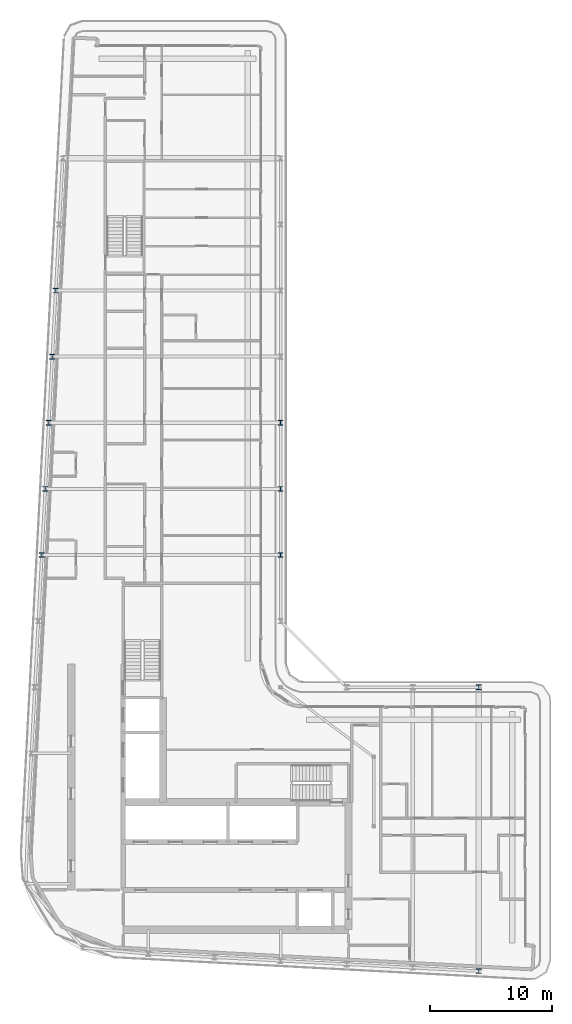
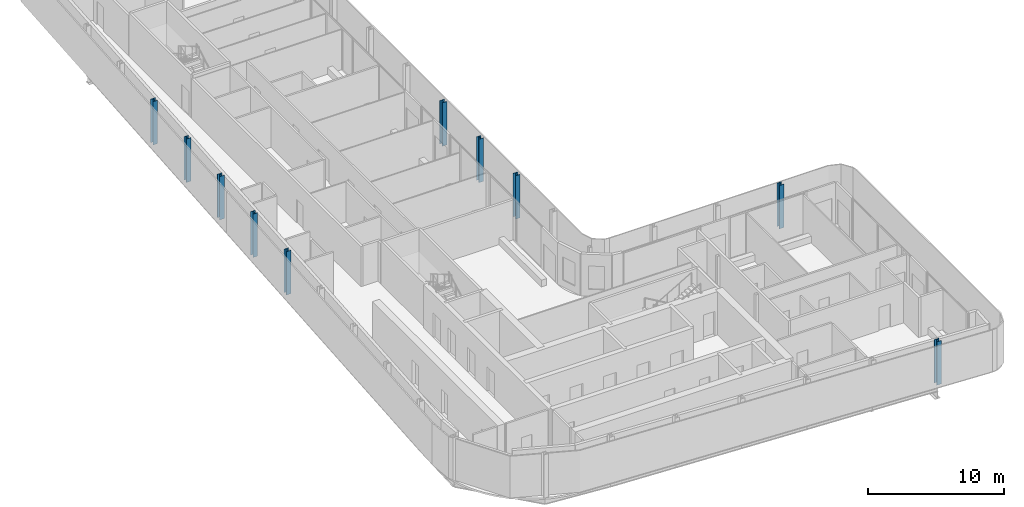
# One storey, part 3 of 21: 10 columns.
"""IFC4 building model written with IfcOpenShell, lengths in metres."""

from ifc_helpers import new_model, si_unit, direction, frame, origin, origin_2d, place, context, subcontext, project, spatial, i_section, extrude, material, material_profile, profile_set, type_object, element, save


model = new_model("IFC4")

# Units and contexts
model_context = context("Model", 3, precision=1e-05, world=origin(), true_north=direction((0.0, 1.0)))
body_context = subcontext(model_context, "Body", "Model", "MODEL_VIEW")
ifc_project = project(units=[si_unit("LENGTHUNIT", "METRE"), si_unit("AREAUNIT", "SQUARE_METRE"), si_unit("VOLUMEUNIT", "CUBIC_METRE"), si_unit("PLANEANGLEUNIT", "RADIAN"), si_unit("MASSUNIT", "GRAM", prefix="KILO")], contexts=[model_context])

# Site, building, storey
site_placement = place(None, origin())
site = spatial("IfcSite", under=ifc_project, at=site_placement, CompositionType="ELEMENT")
building_placement = place(site_placement, origin())
building = spatial("IfcBuilding", under=site, at=building_placement, Name="Kheshtan School and Residences Tower", CompositionType="ELEMENT")
storey_placement = place(building_placement, frame((0.0, 0.0, 317.60009765625)))
storey = spatial("IfcBuildingStorey", under=building, at=storey_placement, Name="L75", CompositionType="ELEMENT", Elevation=317.60009765625)

# Columns
ifc_material = material(Name="Steel ASTM A992 Grade 50", Category="steel")
ifc_material_profile = material_profile(ifc_material, i_section(OverallWidth=0.39501953125, OverallDepth=0.3798828125, WebThickness=0.018798828125, FlangeThickness=0.0302734375, FilletRadius=0.011474609375, at=origin_2d()), Name="W360x237")
ifc_profile_set = profile_set([ifc_material_profile], Name="Steel ASTM A992 Grade 50")
column_type = type_object("IfcColumnType", Name="Column C5 W360x237 ASTM A992 Grade 50", PredefinedType="COLUMN", material=ifc_profile_set)
for number, where, z_axis, x_axis, name in (
    (1, (63.800048828125, 22.410888671875, 0.0), (0.0, 0.0, 1.0), (1.0, 0.0, 0.0), "Column C016"),
    (2, (63.800048828125, 45.60009765625, 0.0), (0.0, 0.0, 1.0), (1.0, 0.0, 0.0), "Column C063"),
    (3, (28.10595703125, 56.39990234375, 0.0), (0.0, 0.0, 1.0), (1.0, 0.0, 0.0), "Column C080"),
    (4, (47.60009765625, 56.39990234375, 0.0), (0.0, 0.0, 1.0), (1.0, 0.0, 0.0), "Column C081"),
    (5, (28.389892578125, 61.800048828125, 0.0), (0.0, 0.0, 1.0), (1.0, 0.0, 0.0), "Column C082"),
    (6, (47.60009765625, 61.800048828125, 0.0), (0.0, 0.0, 1.0), (1.0, 0.0, 0.0), "Column C083"),
    (7, (28.674072265625, 67.199951171875, 0.0), (0.0, 0.0, 1.0), (1.0, 0.0, 0.0), "Column C084"),
    (8, (47.60009765625, 67.199951171875, 0.0), (0.0, 0.0, 1.0), (1.0, 0.0, 0.0), "Column C085"),
    (9, (28.9580078125, 72.60009765625, 0.0), (0.0, 0.0, 1.0), (1.0, 0.0, 0.0), "Column C086"),
    (10, (29.242919921875, 78.0, 0.0), (0.0, 0.0, 1.0), (1.0, 0.0, 0.0), "Column C088"),
):
    element("IfcColumn", number, at=place(storey_placement, frame(where, z_axis=z_axis, x_axis=x_axis)), inside=storey, type_object=column_type, Name=name, PredefinedType="COLUMN", context=body_context, shape_type="SweptSolid", body=[
        extrude(i_section(OverallWidth=0.39501953125, OverallDepth=0.3798828125, WebThickness=0.018798828125, FlangeThickness=0.0302734375, FilletRadius=0.011474609375, at=origin_2d()), origin(), (0.0, 0.0, 1.0), 3.89990234375),
    ])

save(model, "model.ifc")
